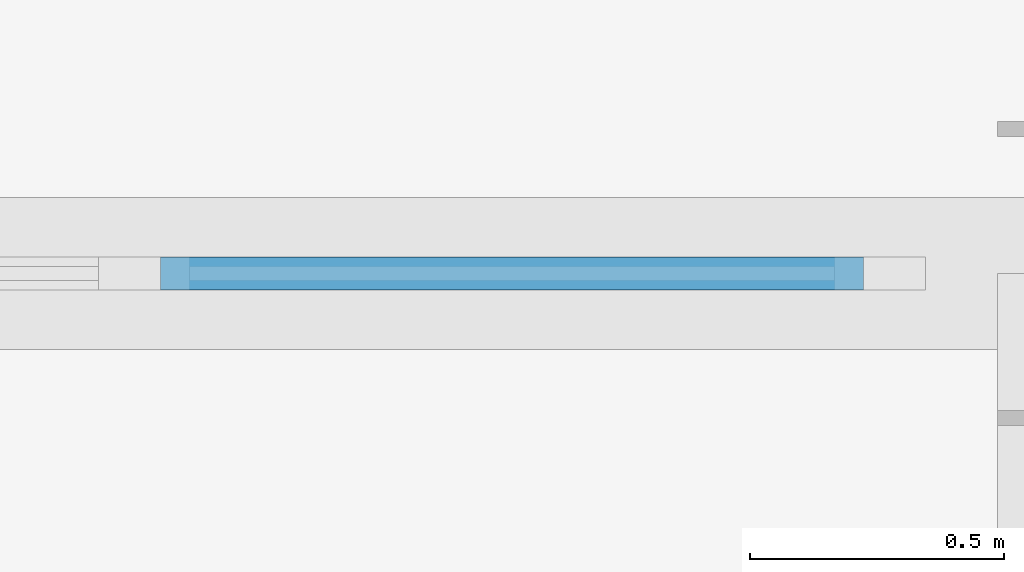
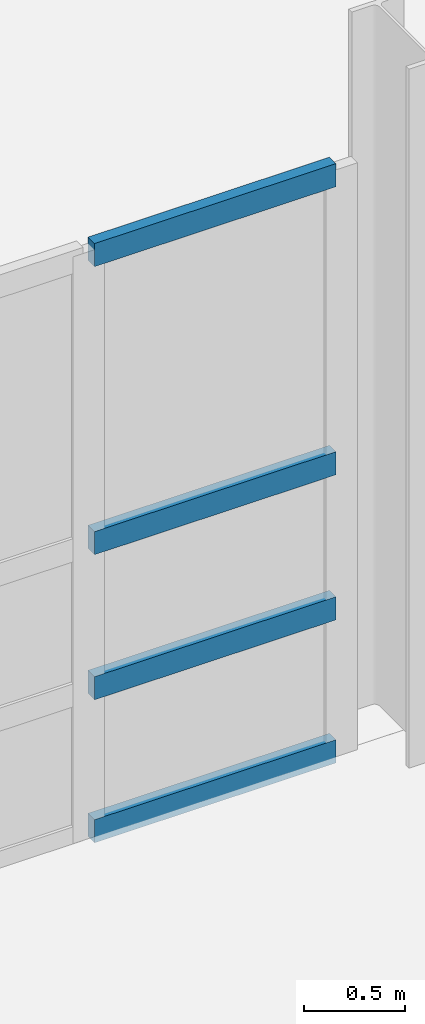
# One storey, part 34 of 78: 4 members, 1 element without a shape of its own.
"""IFC4 building model written with IfcOpenShell, lengths in metres."""

from ifc_helpers import new_model, si_unit, direction, frame, origin, origin_2d, place, context, subcontext, project, spatial, rectangle, extrude, material, layer, layer_set, material_profile, profile_set, type_object, element, aggregate, save


model = new_model("IFC4")

# Units and contexts
model_context = context("Model", 3, precision=1e-05, world=origin(), true_north=direction((0.0, 1.0)))
body_context = subcontext(model_context, "Body", "Model", "MODEL_VIEW")
ifc_project = project(units=[si_unit("LENGTHUNIT", "METRE"), si_unit("AREAUNIT", "SQUARE_METRE"), si_unit("VOLUMEUNIT", "CUBIC_METRE"), si_unit("PLANEANGLEUNIT", "RADIAN"), si_unit("MASSUNIT", "GRAM", prefix="KILO")], contexts=[model_context])

# Site, building, storey
site_placement = place(None, origin())
site = spatial("IfcSite", under=ifc_project, at=site_placement, CompositionType="ELEMENT")
building_placement = place(site_placement, origin())
building = spatial("IfcBuilding", under=site, at=building_placement, Name="Alderhovde Museum", CompositionType="ELEMENT")
storey_placement = place(building_placement, origin())
storey = spatial("IfcBuildingStorey", under=building, at=storey_placement, Name="L00", CompositionType="ELEMENT", Elevation=0.0)

# Curtain wall, members
ifc_material_1 = material(Name="Triple-Glazed Bronze-Anodised Curtain Wall", Category="glass")
ifc_layer = layer(ifc_material_1, 0.179931640625)
ifc_layer_set = layer_set([ifc_layer], Name="Triple-Glazed Bronze-Anodised Curtain Wall")
curtain_wall_type = type_object("IfcCurtainWallType", Name="CW-STIC-890x356", PredefinedType="USERDEFINED", material=ifc_layer_set)
curtain_wall_placement = place(storey_placement, origin())
curtain_wall = element("IfcCurtainWall", 1, at=curtain_wall_placement, inside=storey, type_object=curtain_wall_type, Name="L00 Stick Curtain Wall 136", ObjectType="STICK CURTAIN WALL", PredefinedType="USERDEFINED")
ifc_material_2 = material(Name="Bronze-Anodised Aluminium EN AW-6063-T6", Category="aluminium")
ifc_material_profile = material_profile(ifc_material_2, rectangle(XDim=0.06494140625, YDim=0.139892578125, at=origin_2d()), Name="TRANSOM 65x140")
ifc_profile_set = profile_set([ifc_material_profile], Name="Bronze-Anodised Aluminium EN AW-6063-T6")
member_type = type_object("IfcMemberType", Name="CWT-65x140", PredefinedType="USERDEFINED", material=ifc_profile_set)
member_1_placement = place(storey_placement, frame((132.59912109375, 48.0, 0.032470703125), z_axis=(1.0, 0.0, 0.0), x_axis=(0.0, 1.0, 0.0)))
member_1 = element("IfcMember", 2, at=member_1_placement, type_object=member_type, Name="CW32 transom 6.1", ObjectType="TRANSOM", PredefinedType="USERDEFINED", context=body_context, shape_type="SweptSolid", body=[
    extrude(rectangle(XDim=0.06494140625, YDim=0.139892578125, at=origin_2d()), origin(), (0.0, 0.0, 1.0), 1.385986328125),
])
member_2_placement = place(storey_placement, frame((132.59912109375, 48.0, 0.89990234375), z_axis=(1.0, 0.0, 0.0), x_axis=(0.0, 1.0, 0.0)))
member_2 = element("IfcMember", 3, at=member_2_placement, type_object=member_type, Name="CW32 transom 6.2", ObjectType="TRANSOM", PredefinedType="USERDEFINED", context=body_context, shape_type="SweptSolid", body=[
    extrude(rectangle(XDim=0.06494140625, YDim=0.139892578125, at=origin_2d()), origin(), (0.0, 0.0, 1.0), 1.385986328125),
])
member_3_placement = place(storey_placement, frame((132.59912109375, 48.0, 1.780029296875), z_axis=(1.0, 0.0, 0.0), x_axis=(0.0, 1.0, 0.0)))
member_3 = element("IfcMember", 4, at=member_3_placement, type_object=member_type, Name="CW32 transom 6.3", ObjectType="TRANSOM", PredefinedType="USERDEFINED", context=body_context, shape_type="SweptSolid", body=[
    extrude(rectangle(XDim=0.06494140625, YDim=0.139892578125, at=origin_2d()), origin(), (0.0, 0.0, 1.0), 1.385986328125),
])
member_4_placement = place(storey_placement, frame((132.59912109375, 48.0, 3.527587890625), z_axis=(1.0, 0.0, 0.0), x_axis=(0.0, 1.0, 0.0)))
member_4 = element("IfcMember", 5, at=member_4_placement, type_object=member_type, Name="CW32 transom 6.4", ObjectType="TRANSOM", PredefinedType="USERDEFINED", context=body_context, shape_type="SweptSolid", body=[
    extrude(rectangle(XDim=0.06494140625, YDim=0.139892578125, at=origin_2d()), origin(), (0.0, 0.0, 1.0), 1.385986328125),
])
aggregate(curtain_wall, [member_1, member_2, member_3, member_4])

save(model, "model.ifc")
